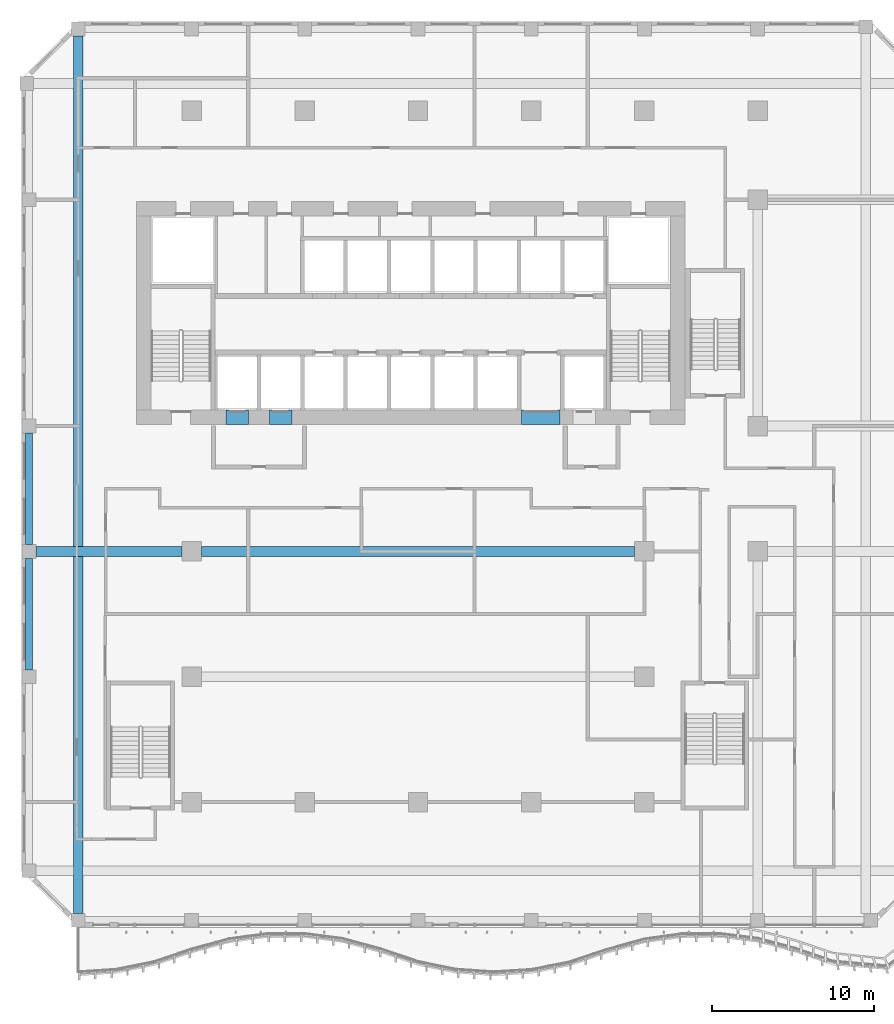
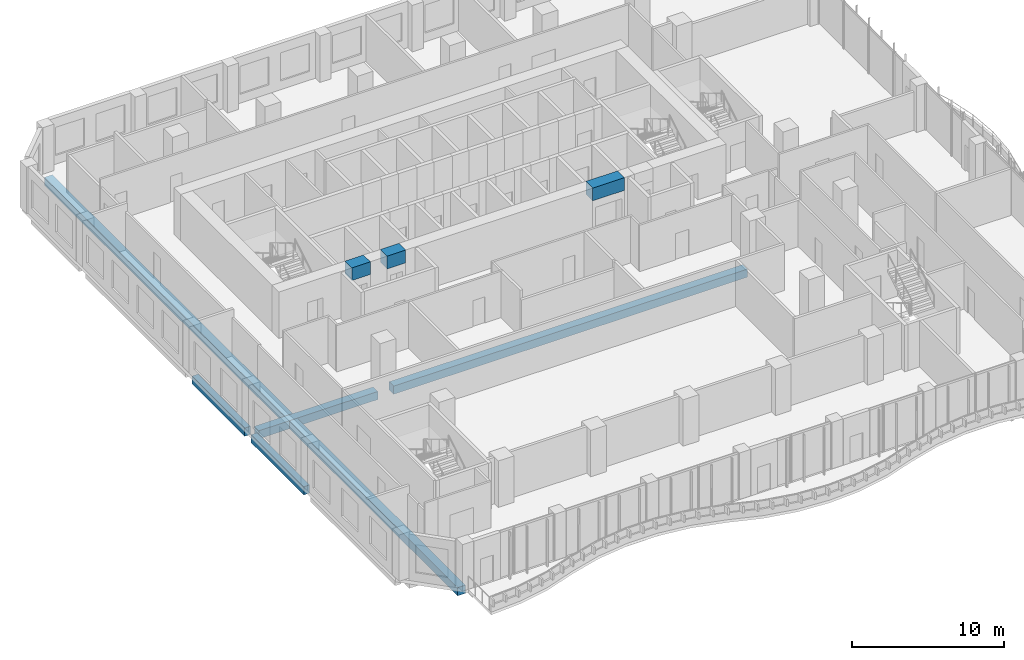
# One storey, part 5 of 27: 8 beams.
"""IFC4 building model written with IfcOpenShell, lengths in metres."""

from ifc_helpers import new_model, si_unit, direction, frame, origin, origin_2d, place, context, subcontext, project, spatial, rectangle, extrude, source, transform, mapped, material, material_profile, profile_set, type_object, element, save


model = new_model("IFC4")

# Units and contexts
model_context = context("Model", 3, precision=1e-05, world=origin(), true_north=direction((0.0, 1.0)))
body_context = subcontext(model_context, "Body", "Model", "MODEL_VIEW")
ifc_project = project(units=[si_unit("LENGTHUNIT", "METRE"), si_unit("AREAUNIT", "SQUARE_METRE"), si_unit("VOLUMEUNIT", "CUBIC_METRE"), si_unit("PLANEANGLEUNIT", "RADIAN"), si_unit("MASSUNIT", "GRAM", prefix="KILO")], contexts=[model_context])

# Site, building, storey
site_placement = place(None, origin())
site = spatial("IfcSite", under=ifc_project, at=site_placement, CompositionType="ELEMENT")
building_placement = place(site_placement, origin())
building = spatial("IfcBuilding", under=site, at=building_placement, Name="Kilnfold Tower and Market Hall", CompositionType="ELEMENT")
storey_placement = place(building_placement, frame((0.0, 0.0, 112.60009765625)))
storey = spatial("IfcBuildingStorey", under=building, at=storey_placement, Name="L26", CompositionType="ELEMENT", Elevation=112.60009765625)

# Beams
ifc_material_1 = material(Name="Concrete C70", Category="concrete")
ifc_material_profile_1 = material_profile(ifc_material_1, rectangle(XDim=0.89990234375, YDim=1.02001953125, at=origin_2d()), Name="RC 900x1020")
ifc_profile_set_1 = profile_set([ifc_material_profile_1], Name="Concrete C70")
beam_type_1 = type_object("IfcBeamType", Name="COUPLING BEAM 900X1020 C70", PredefinedType="BEAM", material=ifc_profile_set_1)
shared_shape_1 = source(origin(), body_context, "Body", "SweptSolid", [
    extrude(rectangle(XDim=0.89990234375, YDim=1.02001953125, at=origin_2d()), origin(), (0.0, 0.0, 1.0), 1.400146484375),
])
beam_1_placement = place(storey_placement, frame((-10.3701171875, 8.550048828125, 3.2099609375), z_axis=(1.0, 0.0, 0.0), x_axis=(0.0, 1.0, 0.0)))
element("IfcBeam", 1, at=beam_1_placement, inside=storey, type_object=beam_type_1, Name="Coupling beam CB1020-70-CORE.40", PredefinedType="BEAM", context=body_context, shape_type="MappedRepresentation", body=[
    mapped(shared_shape_1, transform((0.0, 0.0, 0.0))),
])
shared_shape_2 = source(origin(), body_context, "Body", "SweptSolid", [
    extrude(rectangle(XDim=0.89990234375, YDim=1.02001953125, at=origin_2d()), origin(), (0.0, 0.0, 1.0), 1.39990234375),
])
beam_2_placement = place(storey_placement, frame((-7.68994140625, 8.550048828125, 3.2099609375), z_axis=(1.0, 0.0, 0.0), x_axis=(0.0, 1.0, 0.0)))
element("IfcBeam", 2, at=beam_2_placement, inside=storey, type_object=beam_type_1, Name="Coupling beam CB1020-70-CORE.41", PredefinedType="BEAM", context=body_context, shape_type="MappedRepresentation", body=[
    mapped(shared_shape_2, transform((0.0, 0.0, 0.0))),
])
shared_shape_3 = source(origin(), body_context, "Body", "SweptSolid", [
    extrude(rectangle(XDim=0.89990234375, YDim=1.02001953125, at=origin_2d()), origin(), (0.0, 0.0, 1.0), 2.400146484375),
])
beam_3_placement = place(storey_placement, frame((7.889892578125, 8.550048828125, 3.2099609375), z_axis=(1.0, 0.0, 0.0), x_axis=(0.0, 1.0, 0.0)))
element("IfcBeam", 3, at=beam_3_placement, inside=storey, type_object=beam_type_1, Name="Coupling beam CB1020-70-CORE.42", PredefinedType="BEAM", context=body_context, shape_type="MappedRepresentation", body=[
    mapped(shared_shape_3, transform((0.0, 0.0, 0.0))),
])
ifc_material_2 = material(Name="Concrete C45", Category="concrete")
ifc_material_profile_2 = material_profile(ifc_material_2, rectangle(XDim=0.60009765625, YDim=0.64990234375, at=origin_2d()), Name="RC 600x650")
ifc_profile_set_2 = profile_set([ifc_material_profile_2], Name="Concrete C45")
beam_type_2 = type_object("IfcBeamType", Name="BEAM 600X650 C45", PredefinedType="BEAM", material=ifc_profile_set_2)
shared_shape_4 = source(origin(), body_context, "Body", "SweptSolid", [
    extrude(rectangle(XDim=0.60009765625, YDim=0.64990234375, at=origin_2d()), origin(), (0.0, 0.0, 1.0), 26.7998046875),
])
beam_4_placement = place(storey_placement, frame((-11.89990234375, 0.25, -0.60498046875), z_axis=(1.0, 0.0, 0.0), x_axis=(0.0, 1.0, 0.0)))
element("IfcBeam", 4, at=beam_4_placement, inside=storey, type_object=beam_type_2, Name="Beam BB650-B3.62", PredefinedType="BEAM", context=body_context, shape_type="MappedRepresentation", body=[
    mapped(shared_shape_4, transform((0.0, 0.0, 0.0))),
])
shared_shape_5 = source(origin(), body_context, "Body", "SweptSolid", [
    extrude(rectangle(XDim=0.60009765625, YDim=0.64990234375, at=origin_2d()), origin(), (0.0, 0.0, 1.0), 9.02490234375),
])
beam_5_placement = place(storey_placement, frame((-22.125, 0.25, -0.60498046875), z_axis=(1.0, 0.0, 0.0), x_axis=(0.0, 1.0, 0.0)))
element("IfcBeam", 5, at=beam_5_placement, inside=storey, type_object=beam_type_2, Name="Beam BB650-B3.61", PredefinedType="BEAM", context=body_context, shape_type="MappedRepresentation", body=[
    mapped(shared_shape_5, transform((0.0, 0.0, 0.0))),
])
ifc_material_3 = material(Name="Concrete C45", Category="concrete")
ifc_material_profile_3 = material_profile(ifc_material_3, rectangle(XDim=0.449951171875, YDim=0.64990234375, at=origin_2d()), Name="RC 450x650")
ifc_profile_set_3 = profile_set([ifc_material_profile_3], Name="Concrete C45")
beam_type_3 = type_object("IfcBeamType", Name="EDGE BEAM 450X650 C45", PredefinedType="BEAM", material=ifc_profile_set_3)
shared_shape_6 = source(origin(), body_context, "Body", "SweptSolid", [
    extrude(rectangle(XDim=0.449951171875, YDim=0.64990234375, at=origin_2d()), origin(), (0.0, 0.0, 1.0), 6.89990234375),
])
for number, where, z_axis, x_axis, name in (
    (6, (-22.550048828125, -7.074951171875, -0.60498046875), (0.0, 1.0, 0.0), (-1.0, 0.0, 0.0), "Beam EB650-B3.75"),
    (7, (-22.550048828125, 0.675048828125, -0.60498046875), (0.0, 1.0, 0.0), (-1.0, 0.0, 0.0), "Beam EB650-B3.76"),
):
    element("IfcBeam", number, at=place(storey_placement, frame(where, z_axis=z_axis, x_axis=x_axis)), inside=storey, type_object=beam_type_3, Name=name, PredefinedType="BEAM", context=body_context, shape_type="MappedRepresentation", body=[
        mapped(shared_shape_6, transform((0.0, 0.0, 0.0))),
    ])
shared_shape_7 = source(origin(), body_context, "Body", "SweptSolid", [
    extrude(rectangle(XDim=0.60009765625, YDim=0.64990234375, at=origin_2d()), origin(), (0.0, 0.0, 1.0), 54.25),
])
beam_6_placement = place(storey_placement, frame((-19.5, -22.125, -0.60498046875), z_axis=(0.0, 1.0, 0.0), x_axis=(-1.0, 0.0, 0.0)))
element("IfcBeam", 8, at=beam_6_placement, inside=storey, type_object=beam_type_2, Name="Beam BB650-B3.79", PredefinedType="BEAM", context=body_context, shape_type="MappedRepresentation", body=[
    mapped(shared_shape_7, transform((0.0, 0.0, 0.0))),
])

save(model, "model.ifc")
